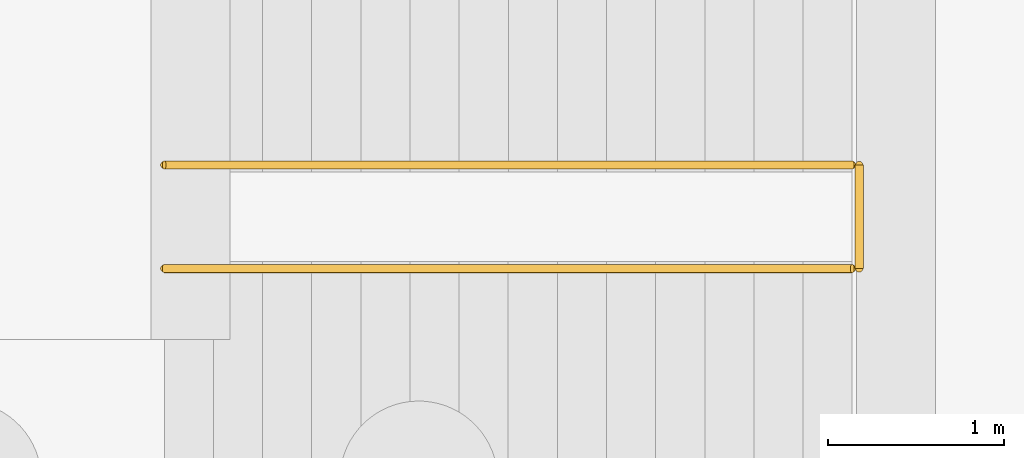
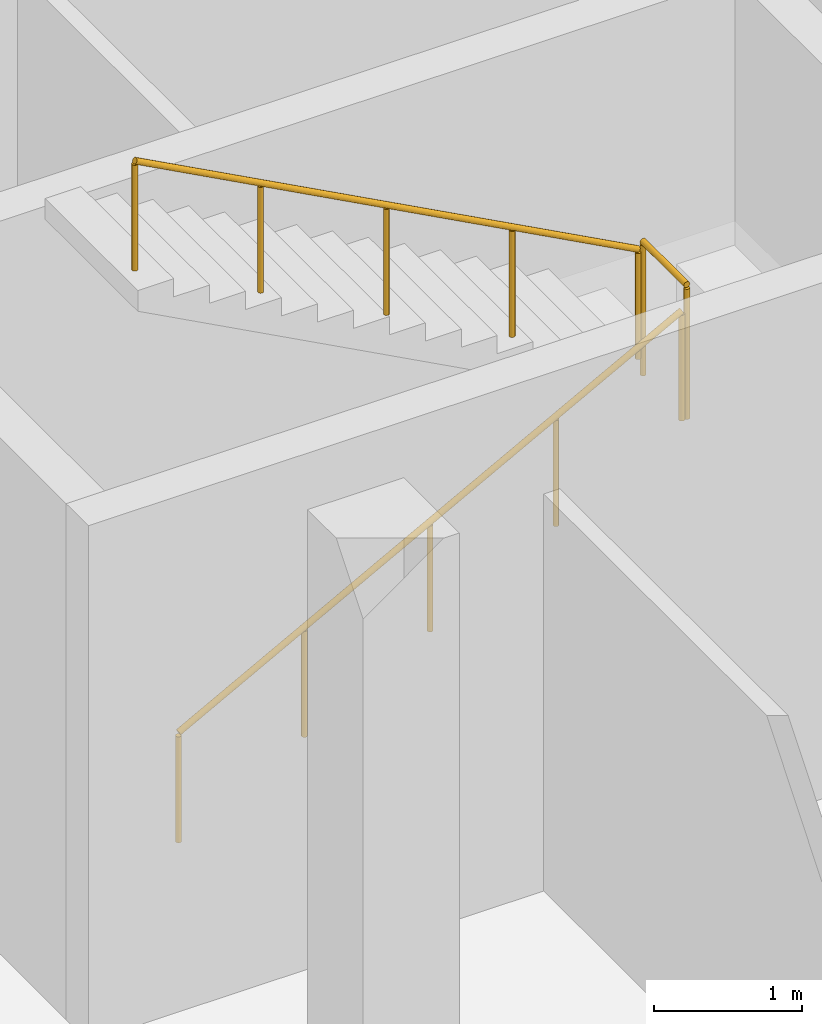
# One storey, part 40 of 41: 3 railings.
"""IFC4 building model written with IfcOpenShell, lengths in metres."""

from ifc_helpers import new_model, si_unit, direction, frame, origin, origin_2d, place, context, subcontext, project, spatial, circle, extrude, material, type_object, element, save


model = new_model("IFC4")

# Units and contexts
model_context = context("Model", 3, precision=1e-05, world=origin(), true_north=direction((0.0, 1.0)))
body_context = subcontext(model_context, "Body", "Model", "MODEL_VIEW")
ifc_project = project(units=[si_unit("LENGTHUNIT", "METRE"), si_unit("AREAUNIT", "SQUARE_METRE"), si_unit("VOLUMEUNIT", "CUBIC_METRE"), si_unit("PLANEANGLEUNIT", "RADIAN"), si_unit("MASSUNIT", "GRAM", prefix="KILO")], contexts=[model_context])

# Site, building, storey
site_placement = place(None, origin())
site = spatial("IfcSite", under=ifc_project, at=site_placement, CompositionType="ELEMENT")
building_placement = place(site_placement, origin())
building = spatial("IfcBuilding", under=site, at=building_placement, Name="Vardoun Plaza Health Centre", CompositionType="ELEMENT")
storey_placement = place(building_placement, frame((0.0, 0.0, -4.5)))
storey = spatial("IfcBuildingStorey", under=building, at=storey_placement, Name="B1", CompositionType="ELEMENT", Elevation=-4.5)

# Railings
ifc_material_1 = material(Name="Painted Steel S275JR Stair-Well Guardrail", Category="steel")
railing_type_1 = type_object("IfcRailingType", Name="GR-04", PredefinedType="GUARDRAIL", material=ifc_material_1)
railing_1_placement = place(storey_placement, frame((161.909912109375, 80.804931640625, 2.25)))
element("IfcRailing", 1, at=railing_1_placement, inside=storey, type_object=railing_type_1, Name="Stair ST-C11-B1 Mid-Landing Well Guard", PredefinedType="GUARDRAIL", context=body_context, shape_type="SweptSolid", body=[
    extrude(circle(Radius=0.02392578125, at=origin_2d()), frame((0.0, 0.0, 1.09619140625), z_axis=(0.0, 1.0, 0.0), x_axis=(-1.0, 0.0, 0.0)), (0.0, 0.0, 1.0), 0.590087890625),
    extrude(circle(Radius=0.02099609375, at=origin_2d()), origin(), (0.0, 0.0, 1.0), 1.072021484375),
    extrude(circle(Radius=0.02099609375, at=origin_2d()), frame((0.0, 0.590087890625, 0.0)), (0.0, 0.0, 1.0), 1.072021484375),
])
ifc_material_2 = material(Name="Brushed Stainless Steel Grade 316L", Category="steel")
railing_type_2 = type_object("IfcRailingType", Name="HR-01", PredefinedType="HANDRAIL", material=ifc_material_2)
railing_2_placement = place(storey_placement, frame((157.949951171875, 80.804931640625, 0.14990234375)))
element("IfcRailing", 2, at=railing_2_placement, inside=storey, type_object=railing_type_2, Name="Stair ST-C11-B1 Flight 1 Handrail", PredefinedType="HANDRAIL", context=body_context, shape_type="SweptSolid", body=[
    extrude(circle(Radius=0.02392578125, at=origin_2d()), frame((0.0, 0.0, 0.89599609375), z_axis=(0.881479153919, 0.0, 0.472222935917), x_axis=(0.0, 1.0, 0.0)), (0.0, 0.0, 1.0), 4.447265625),
    extrude(circle(Radius=0.02099609375, at=origin_2d()), origin(), (0.0, 0.0, 1.0), 0.871826171875),
    extrude(circle(Radius=0.02099609375, at=origin_2d()), frame((0.97998046875, 0.0, 0.52490234375)), (0.0, 0.0, 1.0), 0.871826171875),
    extrude(circle(Radius=0.02099609375, at=origin_2d()), frame((1.9599609375, 0.0, 1.050048828125)), (0.0, 0.0, 1.0), 0.871826171875),
    extrude(circle(Radius=0.02099609375, at=origin_2d()), frame((2.940185546875, 0.0, 1.5751953125)), (0.0, 0.0, 1.0), 0.871826171875),
    extrude(circle(Radius=0.02099609375, at=origin_2d()), frame((3.920166015625, 0.0, 2.10009765625)), (0.0, 0.0, 1.0), 0.871826171875),
])
railing_3_placement = place(storey_placement, frame((161.8701171875, 81.39501953125, 2.39990234375)))
element("IfcRailing", 3, at=railing_3_placement, inside=storey, type_object=railing_type_2, Name="Stair ST-C11-B1 Flight 2 Handrail", PredefinedType="HANDRAIL", context=body_context, shape_type="SweptSolid", body=[
    extrude(circle(Radius=0.02392578125, at=origin_2d()), frame((0.0, 0.0, 0.89599609375), z_axis=(-0.881479153919, 0.0, 0.472222935917), x_axis=(0.0, -1.0, 0.0)), (0.0, 0.0, 1.0), 4.447265625),
    extrude(circle(Radius=0.02099609375, at=origin_2d()), origin(), (0.0, 0.0, 1.0), 0.871826171875),
    extrude(circle(Radius=0.02099609375, at=origin_2d()), frame((-0.97998046875, 0.0, 0.52490234375)), (0.0, 0.0, 1.0), 0.871826171875),
    extrude(circle(Radius=0.02099609375, at=origin_2d()), frame((-1.9599609375, 0.0, 1.050048828125)), (0.0, 0.0, 1.0), 0.871826171875),
    extrude(circle(Radius=0.02099609375, at=origin_2d()), frame((-2.940185546875, 0.0, 1.5751953125)), (0.0, 0.0, 1.0), 0.871826171875),
    extrude(circle(Radius=0.02099609375, at=origin_2d()), frame((-3.920166015625, 0.0, 2.10009765625)), (0.0, 0.0, 1.0), 0.871826171875),
])

save(model, "model.ifc")
